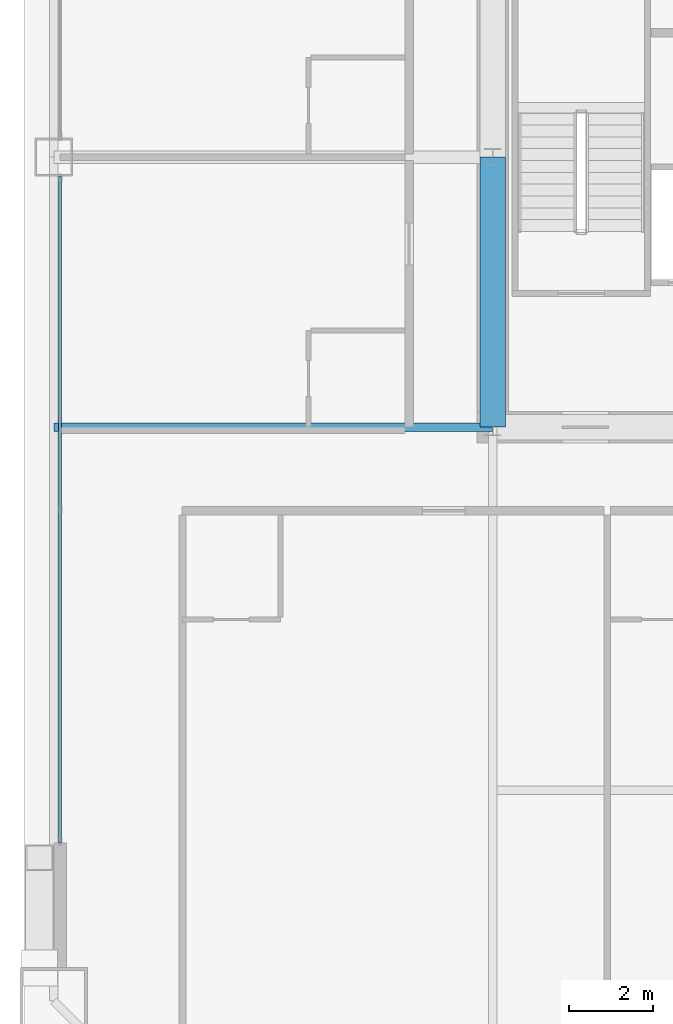
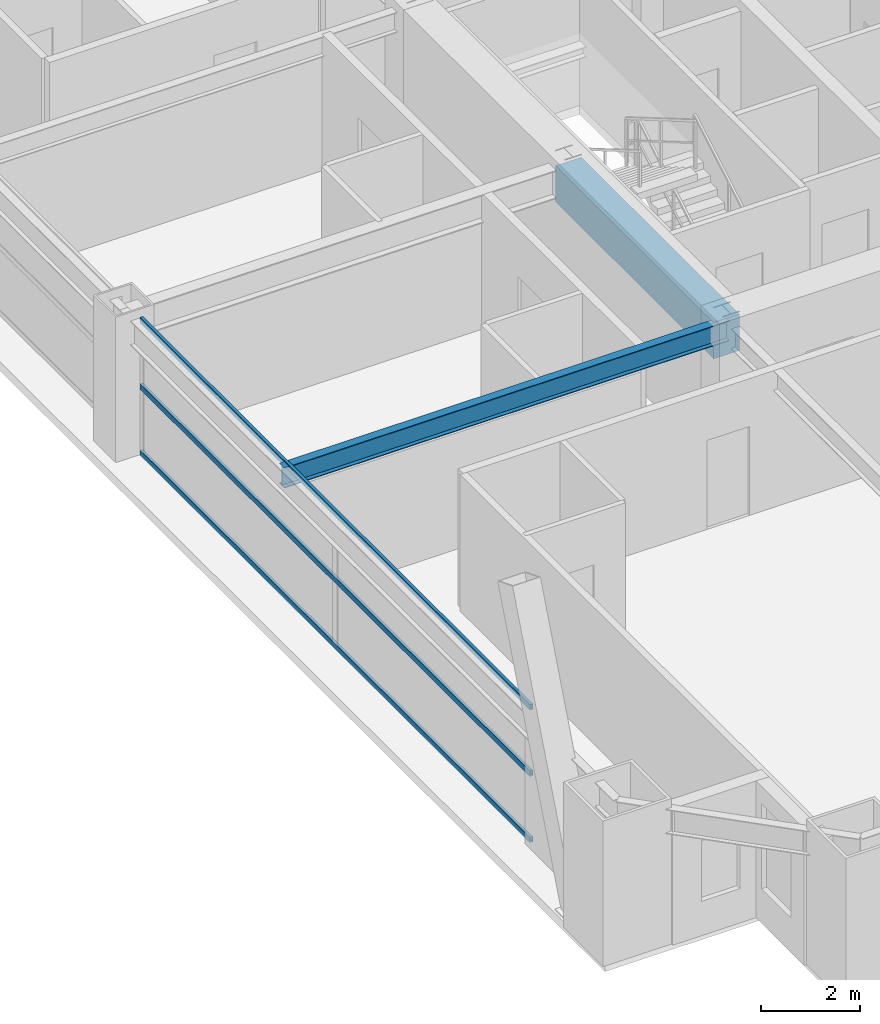
# One storey, part 12 of 43: 3 members, 2 beams, 1 element without a shape of its own.
"""IFC4 building model written with IfcOpenShell, lengths in metres."""

import ifcopenshell
import ifcopenshell.guid

model = None  # the IFC model being written
_history = None  # IfcOwnerHistory: only IFC2X3 demands one
_inside = {}  # id of a spatial element -> (the spatial element, [elements in it])
_under = {}  # id of a project, library or spatial element -> (it, [spatial elements below it])
_declared = {}  # id of a project -> (the project, [libraries it declares])
_typed = {}  # id of a type object -> (the type object, [elements of that type])
_made_of = {}  # id of a material, layer set ... -> (it, [elements and type objects made of it])


def new_model(schema):
    """Start an empty IFC model of exactly this schema.

    Asked for "IFC4X3", IfcOpenShell would pick the latest addendum, in which some entities
    have other attributes; the version numbers below select the first issue.
    IFC2X3 requires an IfcOwnerHistory on every rooted entity: one is made here for all.
    """
    global model, _history
    if schema == "IFC4X3":
        model = ifcopenshell.file(schema_version=(4, 3, 0, 0))
    else:
        model = ifcopenshell.file(schema=schema)
    _inside.clear()
    _under.clear()
    _declared.clear()
    _typed.clear()
    _made_of.clear()
    _history = None
    if model.schema == "IFC2X3":
        org = make("IfcOrganization", Name="unknown")
        user = make(
            "IfcPersonAndOrganization",
            ThePerson=make("IfcPerson", FamilyName="unknown"),
            TheOrganization=org,
        )
        app = make(
            "IfcApplication",
            ApplicationDeveloper=org,
            Version="unknown",
            ApplicationFullName="unknown",
            ApplicationIdentifier="unknown",
        )
        _history = make(
            "IfcOwnerHistory",
            OwningUser=user,
            OwningApplication=app,
            ChangeAction="ADDED",
            CreationDate=0,
        )
    return model


def make(cls, **values):
    """One entity of the class cls with the attributes given. An attribute that is None is left unset."""
    return model.create_entity(
        cls, **{name: value for name, value in values.items() if value is not None}
    )


def rooted(cls, **values):
    """An entity with a GlobalId (a new one), such as an element, a storey or a relation."""
    return make(cls, GlobalId=ifcopenshell.guid.new(), OwnerHistory=_history, **values)


def si_unit(unit_type, name, prefix=None):
    """IfcSIUnit, for example si_unit("LENGTHUNIT", "METRE", prefix="MILLI")."""
    return make("IfcSIUnit", UnitType=unit_type, Prefix=prefix, Name=name)


def assignment(units):
    """IfcUnitAssignment: the units of a project."""
    return None if units is None else make("IfcUnitAssignment", Units=units)


def point(xyz):
    """IfcCartesianPoint."""
    return None if xyz is None else make("IfcCartesianPoint", Coordinates=xyz)


def direction(xyz):
    """IfcDirection."""
    return None if xyz is None else make("IfcDirection", DirectionRatios=xyz)


def frame(location, z_axis=None, x_axis=None):
    """IfcAxis2Placement3D, a coordinate frame: its origin and axes. An axis left out is left unset."""
    return make(
        "IfcAxis2Placement3D",
        Location=point(location),
        Axis=direction(z_axis),
        RefDirection=direction(x_axis),
    )


def frame_2d(location, x_axis=None):
    """IfcAxis2Placement2D, a coordinate frame in the plane: its origin and x axis."""
    return make(
        "IfcAxis2Placement2D", Location=point(location), RefDirection=direction(x_axis)
    )


def origin():
    """The frame at (0, 0, 0) with its axes left unset."""
    return frame((0.0, 0.0, 0.0))


def origin_2d():
    """The frame at (0, 0) in the plane with its x axis left unset."""
    return frame_2d((0.0, 0.0))


def place(relative_to, where):
    """IfcLocalPlacement: puts the frame where relative to a parent placement (None: the world)."""
    return make(
        "IfcLocalPlacement", PlacementRelTo=relative_to, RelativePlacement=where
    )


def context(
    kind, dimensions, precision=None, world=None, true_north=None, identifier=None
):
    """IfcGeometricRepresentationContext, for example the 3D "Model" context."""
    return make(
        "IfcGeometricRepresentationContext",
        ContextIdentifier=identifier,
        ContextType=kind,
        CoordinateSpaceDimension=dimensions,
        Precision=precision,
        WorldCoordinateSystem=world,
        TrueNorth=true_north,
    )


def subcontext(parent, identifier, kind, view, scale=None):
    """IfcGeometricRepresentationSubContext, for example "Body" below "Model"."""
    return make(
        "IfcGeometricRepresentationSubContext",
        ContextIdentifier=identifier,
        ContextType=kind,
        ParentContext=parent,
        TargetScale=scale,
        TargetView=view,
    )


def project(units=None, contexts=None):
    """IfcProject with its units and contexts."""
    return rooted(
        "IfcProject",
        Name="project",
        RepresentationContexts=contexts,
        UnitsInContext=assignment(units),
    )


def spatial(cls, under=None, at=None, **own):
    """A site, building, storey or space (cls), placed at a placement, below another one or the project."""
    s = rooted(cls, ObjectPlacement=at, **own)
    if under is not None:
        _under.setdefault(under.id(), (under, []))[1].append(s)
    return s


def profile(cls, at=None, kind="AREA", **sizes):
    """A parametric profile (cls). Its sizes go by their IFC names, for example OverallWidth=200.0."""
    return make(cls, ProfileType=kind, Position=at, **sizes)


def rectangle(**sizes):
    """IfcRectangleProfileDef."""
    return profile("IfcRectangleProfileDef", **sizes)


def hollow_rectangle(**sizes):
    """IfcRectangleHollowProfileDef."""
    return profile("IfcRectangleHollowProfileDef", **sizes)


def i_section(**sizes):
    """IfcIShapeProfileDef."""
    return profile("IfcIShapeProfileDef", **sizes)


def extrude(swept, where, along, depth):
    """IfcExtrudedAreaSolid: the profile swept, set in the frame where, extruded along a direction by depth."""
    return make(
        "IfcExtrudedAreaSolid",
        SweptArea=swept,
        Position=where,
        ExtrudedDirection=direction(along),
        Depth=depth,
    )


def shape(context_of_items, identifier, shape_type, items):
    """IfcShapeRepresentation: the items that make up one representation, for example the "Body"."""
    return make(
        "IfcShapeRepresentation",
        ContextOfItems=context_of_items,
        RepresentationIdentifier=identifier,
        RepresentationType=shape_type,
        Items=items,
    )


def source(mapping_origin, context_of_items, identifier, shape_type, items):
    """IfcRepresentationMap: a shape defined once, which mapped items show again and again."""
    return make(
        "IfcRepresentationMap",
        MappingOrigin=mapping_origin,
        MappedRepresentation=shape(context_of_items, identifier, shape_type, items),
    )


def transform(
    local_origin,
    x_axis=None,
    y_axis=None,
    z_axis=None,
    scale=None,
    scale2=None,
    scale3=None,
    uniform=True,
):
    """IfcCartesianTransformationOperator3D, or its non-uniform kind. x_axis, y_axis, z_axis: its Axis1, 2, 3."""
    if uniform:
        return make(
            "IfcCartesianTransformationOperator3D",
            Axis1=direction(x_axis),
            Axis2=direction(y_axis),
            LocalOrigin=point(local_origin),
            Scale=scale,
            Axis3=direction(z_axis),
        )
    return make(
        "IfcCartesianTransformationOperator3DnonUniform",
        Axis1=direction(x_axis),
        Axis2=direction(y_axis),
        LocalOrigin=point(local_origin),
        Scale=scale,
        Axis3=direction(z_axis),
        Scale2=scale2,
        Scale3=scale3,
    )


def mapped(mapping_source, mapping_target):
    """IfcMappedItem: shows the shape of a source again, moved by a transform."""
    return make(
        "IfcMappedItem", MappingSource=mapping_source, MappingTarget=mapping_target
    )


def material(Name=None, Category=None):
    """IfcMaterial."""
    return make("IfcMaterial", Name=Name, Category=Category)


def layer(
    of_material, thickness, ventilated=None, Name=None, Category=None, Priority=None
):
    """IfcMaterialLayer: one layer of a wall or slab, of a material (None: an air gap)."""
    return make(
        "IfcMaterialLayer",
        Material=of_material,
        LayerThickness=thickness,
        IsVentilated=ventilated,
        Name=Name,
        Category=Category,
        Priority=Priority,
    )


def layer_set(layers, Name=None):
    """IfcMaterialLayerSet."""
    return make("IfcMaterialLayerSet", MaterialLayers=layers, LayerSetName=Name)


def material_profile(
    of_material, cross_section, Name=None, Category=None, Priority=None
):
    """IfcMaterialProfile: a cross section and its material."""
    return make(
        "IfcMaterialProfile",
        Name=Name,
        Material=of_material,
        Profile=cross_section,
        Priority=Priority,
        Category=Category,
    )


def profile_set(profiles, Name=None, composite=None):
    """IfcMaterialProfileSet."""
    return make(
        "IfcMaterialProfileSet",
        Name=Name,
        MaterialProfiles=profiles,
        CompositeProfile=composite,
    )


def made_of(thing, what):
    """Note that an element or type object is made of a material, layer set ...; save() writes the relation."""
    if what is not None:
        _made_of.setdefault(what.id(), (what, []))[1].append(thing)
    return thing


def type_object(cls, material=None, **own):
    """A type object (cls), such as IfcWallType, which elements share."""
    return made_of(rooted(cls, **own), material)


def element(
    cls,
    number,
    at=None,
    inside=None,
    cuts=None,
    type_object=None,
    material=None,
    context=None,
    identifier="Body",
    shape_type=None,
    held_by="IfcProductDefinitionShape",
    body=None,
    shapes=None,
    **own,
):
    """One element of the class cls, such as IfcWall. Its Tag is "e" and its number.

    at: its placement. inside: the storey or other place that contains it. cuts: it is an
    opening in that element (IfcRelVoidsElement). A single representation is given by context,
    identifier, shape_type and body (its items); several are given by shapes. held_by: the class
    of the entity that holds the representations. save() writes the other relations.
    """
    e = rooted(cls, Tag="e%d" % number, ObjectPlacement=at, **own)
    if body is not None:
        shapes = [shape(context, identifier, shape_type, body)]
    if shapes is not None:
        e.Representation = make(held_by, Representations=shapes)
    if inside is not None:
        _inside.setdefault(inside.id(), (inside, []))[1].append(e)
    if cuts is not None:
        rooted(
            "IfcRelVoidsElement", RelatingBuildingElement=cuts, RelatedOpeningElement=e
        )
    if type_object is not None:
        _typed.setdefault(type_object.id(), (type_object, []))[1].append(e)
    return made_of(e, material)


def aggregate(whole, parts):
    """IfcRelAggregates: a whole, such as a stair, and the parts it consists of."""
    return rooted("IfcRelAggregates", RelatingObject=whole, RelatedObjects=parts)


def save(model, path):
    """Write the relations noted so far, then the file.

    IfcRelAggregates (storeys below a building ...), IfcRelContainedInSpatialStructure (elements
    in a storey), IfcRelDefinesByType, IfcRelAssociatesMaterial and IfcRelDeclares: one each for
    every whole, place, type object, material and project.
    """
    for whole, parts in _under.values():
        aggregate(whole, parts)
    for where, things in _inside.values():
        rooted(
            "IfcRelContainedInSpatialStructure",
            RelatedElements=things,
            RelatingStructure=where,
        )
    for kind, things in _typed.values():
        rooted("IfcRelDefinesByType", RelatedObjects=things, RelatingType=kind)
    for what, things in _made_of.values():
        rooted("IfcRelAssociatesMaterial", RelatedObjects=things, RelatingMaterial=what)
    for by, libraries in _declared.values():
        rooted("IfcRelDeclares", RelatingContext=by, RelatedDefinitions=libraries)
    model.write(path)


model = new_model("IFC4")

# Units and contexts
model_context = context("Model", 3, precision=1e-05, world=origin(), true_north=direction((0.0, 1.0)))
body_context = subcontext(model_context, "Body", "Model", "MODEL_VIEW")
ifc_project = project(units=[si_unit("LENGTHUNIT", "METRE"), si_unit("AREAUNIT", "SQUARE_METRE"), si_unit("VOLUMEUNIT", "CUBIC_METRE"), si_unit("PLANEANGLEUNIT", "RADIAN"), si_unit("MASSUNIT", "GRAM", prefix="KILO"), si_unit("THERMODYNAMICTEMPERATUREUNIT", "KELVIN"), si_unit("POWERUNIT", "WATT")], contexts=[model_context])

# Site, building, storey
site_placement = place(None, origin())
site = spatial("IfcSite", under=ifc_project, at=site_placement, CompositionType="ELEMENT")
building_placement = place(site_placement, origin())
building = spatial("IfcBuilding", under=site, at=building_placement, Name="Yuzanri Waterfront Tower", CompositionType="ELEMENT")
storey_placement = place(building_placement, frame((0.0, 0.0, 138.0)))
storey = spatial("IfcBuildingStorey", under=building, at=storey_placement, Name="L36", CompositionType="ELEMENT", Elevation=138.0)

# Beams
ifc_material_1 = material(Name="Concrete C60", Category="concrete")
ifc_material_profile_1 = material_profile(ifc_material_1, rectangle(XDim=0.60009765625, YDim=0.89990234375, at=origin_2d()), Name="RC 600x900")
ifc_profile_set_1 = profile_set([ifc_material_profile_1], Name="Concrete C60")
beam_type_1 = type_object("IfcBeamType", Name="Core Coupling Lintel Concrete C60 600x900", PredefinedType="LINTEL", material=ifc_profile_set_1)
shared_shape_1 = source(origin(), body_context, "Body", "SweptSolid", [
    extrude(rectangle(XDim=0.60009765625, YDim=0.89990234375, at=origin_2d()), origin(), (0.0, 0.0, 1.0), 6.400146484375),
])
beam_1_placement = place(storey_placement, frame((23.800048828125, 19.39990234375, 2.929931640625), z_axis=(0.0, 1.0, 0.0), x_axis=(-1.0, 0.0, 0.0)))
element("IfcBeam", 1, at=beam_1_placement, inside=storey, type_object=beam_type_1, Name="L36 Core Tie Beam CW1", PredefinedType="LINTEL", context=body_context, shape_type="MappedRepresentation", body=[
    mapped(shared_shape_1, transform((0.0, 0.0, 0.0), scale=1.0)),
])
ifc_material_2 = material(Name="Steel Q355B", Category="steel")
ifc_material_profile_2 = material_profile(ifc_material_2, i_section(OverallWidth=0.199951171875, OverallDepth=0.5, WebThickness=0.010009765625, FlangeThickness=0.01611328125, at=origin_2d()), Name="HN 500x200x10x16")
ifc_profile_set_2 = profile_set([ifc_material_profile_2], Name="Steel Q355B")
beam_type_2 = type_object("IfcBeamType", Name="Secondary Floor Beam Q355B HN 500x200", PredefinedType="BEAM", material=ifc_profile_set_2)
shared_shape_2 = source(origin(), body_context, "Body", "SweptSolid", [
    extrude(i_section(OverallWidth=0.199951171875, OverallDepth=0.5, WebThickness=0.010009765625, FlangeThickness=0.01611328125, at=origin_2d()), origin(), (0.0, 0.0, 1.0), 10.400146484375),
])
beam_2_placement = place(storey_placement, frame((23.800048828125, 19.39990234375, 3.1298828125), z_axis=(-1.0, 0.0, 0.0), x_axis=(0.0, -1.0, 0.0)))
element("IfcBeam", 2, at=beam_2_placement, inside=storey, type_object=beam_type_2, Name="L36 West-South Core Line Beam", PredefinedType="BEAM", context=body_context, shape_type="MappedRepresentation", body=[
    mapped(shared_shape_2, transform((0.0, 0.0, 0.0), scale=1.0)),
])

# Curtain wall, members
ifc_material_3 = material(Name="Anodized Architectural Bronze", Category="metal")
ifc_layer = layer(ifc_material_3, 0.159912109375)
ifc_layer_set = layer_set([ifc_layer], Name="Anodized Architectural Bronze")
curtain_wall_type = type_object("IfcCurtainWallType", Name="Anodized Bronze Hotel Upper-Tier Solar-Control Unitized Curtain Wall 7800", PredefinedType="NOTDEFINED", material=ifc_layer_set)
curtain_wall_placement = place(storey_placement, origin())
curtain_wall = element("IfcCurtainWall", 3, at=curtain_wall_placement, inside=storey, type_object=curtain_wall_type, Name="L36 Curtain Wall CW-L36-WL", PredefinedType="NOTDEFINED")
ifc_material_4 = material(Name="Anodized Architectural Bronze", Category="metal")
ifc_material_profile_3 = material_profile(ifc_material_4, hollow_rectangle(XDim=0.070068359375, YDim=0.135009765625, WallThickness=0.00341796875, at=origin_2d()), Name="CWT 70x135")
ifc_profile_set_3 = profile_set([ifc_material_profile_3], Name="Anodized Architectural Bronze")
member_type = type_object("IfcMemberType", Name="Anodized Bronze Standard Curtain-Wall Transom 70x135", PredefinedType="USERDEFINED", material=ifc_profile_set_3)
shared_shape_3 = source(origin(), body_context, "Body", "SweptSolid", [
    extrude(hollow_rectangle(XDim=0.070068359375, YDim=0.135009765625, WallThickness=0.00341796875, at=origin_2d()), origin(), (0.0, 0.0, 1.0), 15.800048828125),
])
member_1_placement = place(storey_placement, frame((13.550048828125, 9.550048828125, 0.050048828125), z_axis=(0.0, 1.0, 0.0), x_axis=(-1.0, 0.0, 0.0)))
member_1 = element("IfcMember", 4, at=member_1_placement, type_object=member_type, Name="CW-L36-WL Transom 1", ObjectType="TRANSOM", PredefinedType="USERDEFINED", context=body_context, shape_type="MappedRepresentation", body=[
    mapped(shared_shape_3, transform((0.0, 0.0, 0.0), scale=1.0)),
])
member_2_placement = place(storey_placement, frame((13.550048828125, 9.550048828125, 1.68994140625), z_axis=(0.0, 1.0, 0.0), x_axis=(-1.0, 0.0, 0.0)))
member_2 = element("IfcMember", 5, at=member_2_placement, type_object=member_type, Name="CW-L36-WL Transom 2", ObjectType="TRANSOM", PredefinedType="USERDEFINED", context=body_context, shape_type="MappedRepresentation", body=[
    mapped(shared_shape_3, transform((0.0, 0.0, 0.0), scale=1.0)),
])
member_3_placement = place(storey_placement, frame((13.550048828125, 9.550048828125, 3.330078125), z_axis=(0.0, 1.0, 0.0), x_axis=(-1.0, 0.0, 0.0)))
member_3 = element("IfcMember", 6, at=member_3_placement, type_object=member_type, Name="CW-L36-WL Transom 3", ObjectType="TRANSOM", PredefinedType="USERDEFINED", context=body_context, shape_type="MappedRepresentation", body=[
    mapped(shared_shape_3, transform((0.0, 0.0, 0.0), scale=1.0)),
])
aggregate(curtain_wall, [member_1, member_2, member_3])

save(model, "model.ifc")
